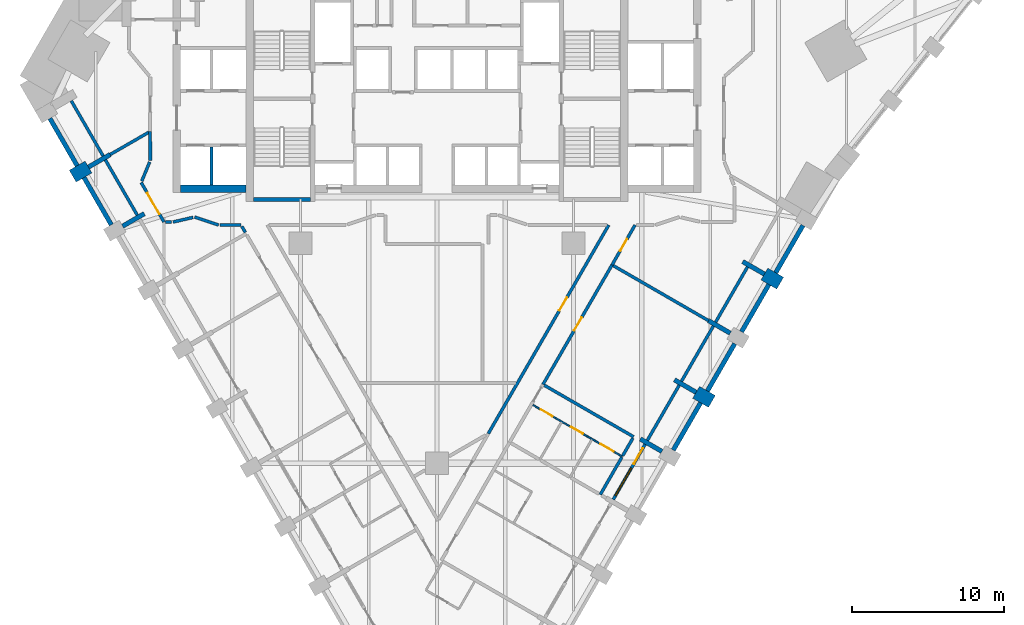
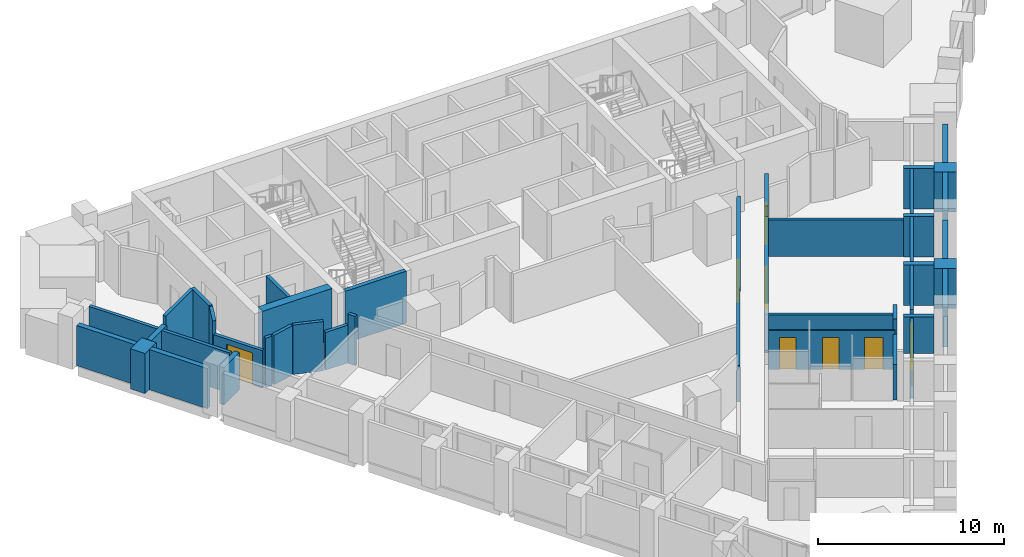
# One storey, part 5 of 10: 41 walls, 8 doors, 1 window, 9 openings.
"""IFC4 building model written with IfcOpenShell, lengths in metres."""

import ifcopenshell
import ifcopenshell.guid

model = None  # the IFC model being written
_history = None  # IfcOwnerHistory: only IFC2X3 demands one
_inside = {}  # id of a spatial element -> (the spatial element, [elements in it])
_under = {}  # id of a project, library or spatial element -> (it, [spatial elements below it])
_declared = {}  # id of a project -> (the project, [libraries it declares])
_typed = {}  # id of a type object -> (the type object, [elements of that type])
_made_of = {}  # id of a material, layer set ... -> (it, [elements and type objects made of it])


def new_model(schema):
    """Start an empty IFC model of exactly this schema.

    Asked for "IFC4X3", IfcOpenShell would pick the latest addendum, in which some entities
    have other attributes; the version numbers below select the first issue.
    IFC2X3 requires an IfcOwnerHistory on every rooted entity: one is made here for all.
    """
    global model, _history
    if schema == "IFC4X3":
        model = ifcopenshell.file(schema_version=(4, 3, 0, 0))
    else:
        model = ifcopenshell.file(schema=schema)
    _inside.clear()
    _under.clear()
    _declared.clear()
    _typed.clear()
    _made_of.clear()
    _history = None
    if model.schema == "IFC2X3":
        org = make("IfcOrganization", Name="unknown")
        user = make(
            "IfcPersonAndOrganization",
            ThePerson=make("IfcPerson", FamilyName="unknown"),
            TheOrganization=org,
        )
        app = make(
            "IfcApplication",
            ApplicationDeveloper=org,
            Version="unknown",
            ApplicationFullName="unknown",
            ApplicationIdentifier="unknown",
        )
        _history = make(
            "IfcOwnerHistory",
            OwningUser=user,
            OwningApplication=app,
            ChangeAction="ADDED",
            CreationDate=0,
        )
    return model


def make(cls, **values):
    """One entity of the class cls with the attributes given. An attribute that is None is left unset."""
    return model.create_entity(
        cls, **{name: value for name, value in values.items() if value is not None}
    )


def rooted(cls, **values):
    """An entity with a GlobalId (a new one), such as an element, a storey or a relation."""
    return make(cls, GlobalId=ifcopenshell.guid.new(), OwnerHistory=_history, **values)


def si_unit(unit_type, name, prefix=None):
    """IfcSIUnit, for example si_unit("LENGTHUNIT", "METRE", prefix="MILLI")."""
    return make("IfcSIUnit", UnitType=unit_type, Prefix=prefix, Name=name)


def assignment(units):
    """IfcUnitAssignment: the units of a project."""
    return None if units is None else make("IfcUnitAssignment", Units=units)


def point(xyz):
    """IfcCartesianPoint."""
    return None if xyz is None else make("IfcCartesianPoint", Coordinates=xyz)


def direction(xyz):
    """IfcDirection."""
    return None if xyz is None else make("IfcDirection", DirectionRatios=xyz)


def frame(location, z_axis=None, x_axis=None):
    """IfcAxis2Placement3D, a coordinate frame: its origin and axes. An axis left out is left unset."""
    return make(
        "IfcAxis2Placement3D",
        Location=point(location),
        Axis=direction(z_axis),
        RefDirection=direction(x_axis),
    )


def frame_2d(location, x_axis=None):
    """IfcAxis2Placement2D, a coordinate frame in the plane: its origin and x axis."""
    return make(
        "IfcAxis2Placement2D", Location=point(location), RefDirection=direction(x_axis)
    )


def origin():
    """The frame at (0, 0, 0) with its axes left unset."""
    return frame((0.0, 0.0, 0.0))


def place(relative_to, where):
    """IfcLocalPlacement: puts the frame where relative to a parent placement (None: the world)."""
    return make(
        "IfcLocalPlacement", PlacementRelTo=relative_to, RelativePlacement=where
    )


def context(
    kind, dimensions, precision=None, world=None, true_north=None, identifier=None
):
    """IfcGeometricRepresentationContext, for example the 3D "Model" context."""
    return make(
        "IfcGeometricRepresentationContext",
        ContextIdentifier=identifier,
        ContextType=kind,
        CoordinateSpaceDimension=dimensions,
        Precision=precision,
        WorldCoordinateSystem=world,
        TrueNorth=true_north,
    )


def subcontext(parent, identifier, kind, view, scale=None):
    """IfcGeometricRepresentationSubContext, for example "Body" below "Model"."""
    return make(
        "IfcGeometricRepresentationSubContext",
        ContextIdentifier=identifier,
        ContextType=kind,
        ParentContext=parent,
        TargetScale=scale,
        TargetView=view,
    )


def project(units=None, contexts=None):
    """IfcProject with its units and contexts."""
    return rooted(
        "IfcProject",
        Name="project",
        RepresentationContexts=contexts,
        UnitsInContext=assignment(units),
    )


def spatial(cls, under=None, at=None, **own):
    """A site, building, storey or space (cls), placed at a placement, below another one or the project."""
    s = rooted(cls, ObjectPlacement=at, **own)
    if under is not None:
        _under.setdefault(under.id(), (under, []))[1].append(s)
    return s


def profile(cls, at=None, kind="AREA", **sizes):
    """A parametric profile (cls). Its sizes go by their IFC names, for example OverallWidth=200.0."""
    return make(cls, ProfileType=kind, Position=at, **sizes)


def rectangle(**sizes):
    """IfcRectangleProfileDef."""
    return profile("IfcRectangleProfileDef", **sizes)


def extrude(swept, where, along, depth):
    """IfcExtrudedAreaSolid: the profile swept, set in the frame where, extruded along a direction by depth."""
    return make(
        "IfcExtrudedAreaSolid",
        SweptArea=swept,
        Position=where,
        ExtrudedDirection=direction(along),
        Depth=depth,
    )


def shape(context_of_items, identifier, shape_type, items):
    """IfcShapeRepresentation: the items that make up one representation, for example the "Body"."""
    return make(
        "IfcShapeRepresentation",
        ContextOfItems=context_of_items,
        RepresentationIdentifier=identifier,
        RepresentationType=shape_type,
        Items=items,
    )


def material(Name=None, Category=None):
    """IfcMaterial."""
    return make("IfcMaterial", Name=Name, Category=Category)


def layer(
    of_material, thickness, ventilated=None, Name=None, Category=None, Priority=None
):
    """IfcMaterialLayer: one layer of a wall or slab, of a material (None: an air gap)."""
    return make(
        "IfcMaterialLayer",
        Material=of_material,
        LayerThickness=thickness,
        IsVentilated=ventilated,
        Name=Name,
        Category=Category,
        Priority=Priority,
    )


def layer_set(layers, Name=None):
    """IfcMaterialLayerSet."""
    return make("IfcMaterialLayerSet", MaterialLayers=layers, LayerSetName=Name)


def made_of(thing, what):
    """Note that an element or type object is made of a material, layer set ...; save() writes the relation."""
    if what is not None:
        _made_of.setdefault(what.id(), (what, []))[1].append(thing)
    return thing


def type_object(cls, material=None, **own):
    """A type object (cls), such as IfcWallType, which elements share."""
    return made_of(rooted(cls, **own), material)


def element(
    cls,
    number,
    at=None,
    inside=None,
    cuts=None,
    type_object=None,
    material=None,
    context=None,
    identifier="Body",
    shape_type=None,
    held_by="IfcProductDefinitionShape",
    body=None,
    shapes=None,
    **own,
):
    """One element of the class cls, such as IfcWall. Its Tag is "e" and its number.

    at: its placement. inside: the storey or other place that contains it. cuts: it is an
    opening in that element (IfcRelVoidsElement). A single representation is given by context,
    identifier, shape_type and body (its items); several are given by shapes. held_by: the class
    of the entity that holds the representations. save() writes the other relations.
    """
    e = rooted(cls, Tag="e%d" % number, ObjectPlacement=at, **own)
    if body is not None:
        shapes = [shape(context, identifier, shape_type, body)]
    if shapes is not None:
        e.Representation = make(held_by, Representations=shapes)
    if inside is not None:
        _inside.setdefault(inside.id(), (inside, []))[1].append(e)
    if cuts is not None:
        rooted(
            "IfcRelVoidsElement", RelatingBuildingElement=cuts, RelatedOpeningElement=e
        )
    if type_object is not None:
        _typed.setdefault(type_object.id(), (type_object, []))[1].append(e)
    return made_of(e, material)


def fill(opening, filler):
    """IfcRelFillsElement: the door or window that sits in an opening."""
    return rooted(
        "IfcRelFillsElement",
        RelatingOpeningElement=opening,
        RelatedBuildingElement=filler,
    )


def aggregate(whole, parts):
    """IfcRelAggregates: a whole, such as a stair, and the parts it consists of."""
    return rooted("IfcRelAggregates", RelatingObject=whole, RelatedObjects=parts)


def save(model, path):
    """Write the relations noted so far, then the file.

    IfcRelAggregates (storeys below a building ...), IfcRelContainedInSpatialStructure (elements
    in a storey), IfcRelDefinesByType, IfcRelAssociatesMaterial and IfcRelDeclares: one each for
    every whole, place, type object, material and project.
    """
    for whole, parts in _under.values():
        aggregate(whole, parts)
    for where, things in _inside.values():
        rooted(
            "IfcRelContainedInSpatialStructure",
            RelatedElements=things,
            RelatingStructure=where,
        )
    for kind, things in _typed.values():
        rooted("IfcRelDefinesByType", RelatedObjects=things, RelatingType=kind)
    for what, things in _made_of.values():
        rooted("IfcRelAssociatesMaterial", RelatedObjects=things, RelatingMaterial=what)
    for by, libraries in _declared.values():
        rooted("IfcRelDeclares", RelatingContext=by, RelatedDefinitions=libraries)
    model.write(path)


model = new_model("IFC4")

# Units and contexts
model_context = context("Model", 3, precision=1e-05, world=origin(), true_north=direction((0.0, 1.0)))
body_context = subcontext(model_context, "Body", "Model", "MODEL_VIEW")
ifc_project = project(units=[si_unit("LENGTHUNIT", "METRE"), si_unit("AREAUNIT", "SQUARE_METRE"), si_unit("VOLUMEUNIT", "CUBIC_METRE"), si_unit("PLANEANGLEUNIT", "RADIAN"), si_unit("MASSUNIT", "GRAM", prefix="KILO")], contexts=[model_context])

# Site, building, storey
site_placement = place(None, origin())
site = spatial("IfcSite", under=ifc_project, at=site_placement, CompositionType="ELEMENT")
building_placement = place(site_placement, origin())
building = spatial("IfcBuilding", under=site, at=building_placement, Name="Calabash Gate Tower", CompositionType="ELEMENT")
storey_placement = place(building_placement, frame((0.0, 0.0, 95.199951171875)))
storey = spatial("IfcBuildingStorey", under=building, at=storey_placement, Name="L20", CompositionType="ELEMENT", Elevation=95.199951171875)

# Walls
ifc_material_1 = material(Name="Terracotta brick masonry, exposed face", Category="masonry")
ifc_layer_1 = layer(ifc_material_1, 1.199951171875)
ifc_layer_set_1 = layer_set([ifc_layer_1], Name="Brick end wall 1200")
wall_type_1 = type_object("IfcWallType", Name="Brick end wall 1200", PredefinedType="SOLIDWALL", material=ifc_layer_set_1)
wall_1_placement = place(storey_placement, frame((-24.01025390625, 6.922119140625, 0.0), z_axis=(0.0, 0.0, 1.0), x_axis=(0.865955154139, 0.50012165622, 0.0)))
element("IfcWall", 1, at=wall_1_placement, inside=storey, type_object=wall_type_1, Name="Brick pier S05 SW0.1", PredefinedType="SOLIDWALL", context=body_context, shape_type="SweptSolid", body=[
    extrude(rectangle(XDim=1.199951171875, YDim=0.89990234375, at=frame_2d((0.60009765625, 0.0))), origin(), (0.0, 0.0, 1.0), 2.630126953125),
])
wall_2_placement = place(storey_placement, frame((18.1171875, -7.925537109375, 0.0), z_axis=(0.0, 0.0, 1.0), x_axis=(-0.866006032174, 0.500033551112, 0.0)))
element("IfcWall", 2, at=wall_2_placement, inside=storey, type_object=wall_type_1, Name="Brick pier S05 SE2.5", PredefinedType="SOLIDWALL", context=body_context, shape_type="SweptSolid", body=[
    extrude(rectangle(XDim=1.2001953125, YDim=0.89990234375, at=frame_2d((0.60009765625, 0.0))), origin(), (0.0, 0.0, 1.0), 2.630126953125),
])
wall_3_placement = place(storey_placement, frame((21.577880859375, 0.46875, 0.0), z_axis=(0.0, 0.0, 1.0), x_axis=(0.866094119867, -0.499880961361, 0.0)))
element("IfcWall", 3, at=wall_3_placement, inside=storey, type_object=wall_type_1, Name="Brick pier S05 SE2.7", PredefinedType="SOLIDWALL", context=body_context, shape_type="SweptSolid", body=[
    extrude(rectangle(XDim=1.199951171875, YDim=0.89990234375, at=frame_2d((0.60009765625, 0.0))), origin(), (0.0, 0.0, 1.0), 2.630126953125),
])
ifc_material_2 = material(Name="Terracotta brick masonry, exposed face", Category="masonry")
ifc_layer_2 = layer(ifc_material_2, 0.300048828125)
ifc_layer_set_2 = layer_set([ifc_layer_2], Name="Brick infill panel wall 300")
wall_type_2 = type_object("IfcWallType", Name="Brick infill panel wall 300", PredefinedType="SOLIDWALL", material=ifc_layer_set_2)
wall_4_placement = place(storey_placement, frame((-25.515625, 10.729736328125, 0.0), z_axis=(0.0, 0.0, 1.0), x_axis=(0.499961193289, -0.866047807691, 0.0)))
element("IfcWall", 4, at=wall_4_placement, inside=storey, type_object=wall_type_2, Name="Brick panel S05 SW0.1", PredefinedType="SOLIDWALL", context=body_context, shape_type="SweptSolid", body=[
    extrude(rectangle(XDim=3.599853515625, YDim=0.300048828125, at=frame_2d((1.7998046875, 0.0))), origin(), (0.0, 0.0, 1.0), 2.630126953125),
])
wall_5_placement = place(storey_placement, frame((-21.466552734375, 3.71630859375, 0.0), z_axis=(0.0, 0.0, 1.0), x_axis=(-0.499984792966, 0.866034183392, 0.0)))
element("IfcWall", 5, at=wall_5_placement, inside=storey, type_object=wall_type_2, Name="Brick panel S05 SW0.2", PredefinedType="SOLIDWALL", context=body_context, shape_type="SweptSolid", body=[
    extrude(rectangle(XDim=3.59814453125, YDim=0.300048828125, at=frame_2d((1.799072265625, 0.0))), origin(), (0.0, 0.0, 1.0), 2.630126953125),
])
wall_6_placement = place(storey_placement, frame((15.572509765625, -11.1328125, 0.0), z_axis=(0.0, 0.0, 1.0), x_axis=(0.500012057535, 0.866018442252, 0.0)))
element("IfcWall", 6, at=wall_6_placement, inside=storey, type_object=wall_type_2, Name="Brick panel S05 SE2.5", PredefinedType="SOLIDWALL", context=body_context, shape_type="SweptSolid", body=[
    extrude(rectangle(XDim=3.60009765625, YDim=0.300048828125, at=frame_2d((1.800048828125, 0.0))), origin(), (0.0, 0.0, 1.0), 2.630126953125),
])
wall_7_placement = place(storey_placement, frame((17.822509765625, -7.23583984375, 0.0), z_axis=(0.0, 0.0, 1.0), x_axis=(0.499982693035, 0.866035395735, 0.0)))
element("IfcWall", 7, at=wall_7_placement, inside=storey, type_object=wall_type_2, Name="Brick panel S05 SE2.6", PredefinedType="SOLIDWALL", context=body_context, shape_type="SweptSolid", body=[
    extrude(rectangle(XDim=3.600341796875, YDim=0.300048828125, at=frame_2d((1.80029296875, 0.0))), origin(), (0.0, 0.0, 1.0), 2.630126953125),
])
for number, where, z_axis, x_axis, name in (
    (8, (20.072509765625, -3.338623046875, 0.0), (0.0, 0.0, 1.0), (0.500012057535, 0.866018442252, 0.0), "Brick panel S05 SE2.7"),
    (9, (22.322509765625, 0.55859375, 0.0), (0.0, 0.0, 1.0), (0.500012057535, 0.866018442252, 0.0), "Brick panel S05 SE2.8"),
):
    element("IfcWall", number, at=place(storey_placement, frame(where, z_axis=z_axis, x_axis=x_axis)), inside=storey, type_object=wall_type_2, Name=name, PredefinedType="SOLIDWALL", context=body_context, shape_type="SweptSolid", body=[
        extrude(rectangle(XDim=3.60009765625, YDim=0.300048828125, at=frame_2d((1.800048828125, 0.0))), origin(), (0.0, 0.0, 1.0), 2.630126953125),
    ])
ifc_material_3 = material(Name="Terracotta brick masonry, exposed face", Category="masonry")
ifc_layer_3 = layer(ifc_material_3, 0.300048828125)
ifc_layer_set_3 = layer_set([ifc_layer_3], Name="Brick loggia cheek wall 300")
wall_type_3 = type_object("IfcWallType", Name="Brick loggia cheek wall 300", PredefinedType="SOLIDWALL", material=ifc_layer_set_3)
wall_8_placement = place(storey_placement, frame((-22.97119140625, 7.522216796875, 0.0), z_axis=(0.0, 0.0, 1.0), x_axis=(0.866040211805, 0.499974350878, 0.0)))
element("IfcWall", 10, at=wall_8_placement, inside=storey, type_object=wall_type_3, Name="Loggia cheek S05 SW0.1", PredefinedType="SOLIDWALL", context=body_context, shape_type="SweptSolid", body=[
    extrude(rectangle(XDim=1.64990234375, YDim=0.300048828125, at=frame_2d((0.824951171875, 0.0))), origin(), (0.0, 0.0, 1.0), 2.650146484375),
])
wall_9_placement = place(storey_placement, frame((-19.292236328125, 4.4501953125, 0.0), z_axis=(0.0, 0.0, 1.0), x_axis=(-0.865993292597, -0.500055614084, 0.0)))
element("IfcWall", 11, at=wall_9_placement, inside=storey, type_object=wall_type_3, Name="Loggia cheek S05 SW0.2", PredefinedType="SOLIDWALL", context=body_context, shape_type="SweptSolid", body=[
    extrude(rectangle(XDim=1.649169921875, YDim=0.300048828125, at=frame_2d((0.82470703125, 0.0))), origin(), (0.0, 0.0, 1.0), 2.4501953125),
])
wall_10_placement = place(storey_placement, frame((13.39892578125, -10.3974609375, 0.0), z_axis=(0.0, 0.0, 1.0), x_axis=(0.866003217194, -0.500038426333, 0.0)))
element("IfcWall", 12, at=wall_10_placement, inside=storey, type_object=wall_type_3, Name="Loggia cheek S05 SE2.4", PredefinedType="SOLIDWALL", context=body_context, shape_type="SweptSolid", body=[
    extrude(rectangle(XDim=1.649658203125, YDim=0.300048828125, at=frame_2d((0.82470703125, 0.0))), origin(), (0.0, 0.0, 1.0), 2.384033203125),
])
wall_11_placement = place(storey_placement, frame((17.077880859375, -7.325439453125, 0.0), z_axis=(0.0, 0.0, 1.0), x_axis=(-0.866040211805, 0.499974350878, 0.0)))
element("IfcWall", 13, at=wall_11_placement, inside=storey, type_object=wall_type_3, Name="Loggia cheek S05 SE2.5", PredefinedType="SOLIDWALL", context=body_context, shape_type="SweptSolid", body=[
    extrude(rectangle(XDim=1.64990234375, YDim=0.300048828125, at=frame_2d((0.824951171875, 0.0))), origin(), (0.0, 0.0, 1.0), 2.650146484375),
])
wall_12_placement = place(storey_placement, frame((19.327392578125, -3.427978515625, 0.0), z_axis=(0.0, 0.0, 1.0), x_axis=(-0.866030301974, 0.499991515992, 0.0)))
element("IfcWall", 14, at=wall_12_placement, inside=storey, type_object=wall_type_3, Name="Loggia cheek S05 SE2.6", PredefinedType="SOLIDWALL", context=body_context, shape_type="SweptSolid", body=[
    extrude(rectangle(XDim=1.6494140625, YDim=0.300048828125, at=frame_2d((0.82470703125, 0.0))), origin(), (0.0, 0.0, 1.0), 2.650146484375),
])
wall_13_placement = place(storey_placement, frame((21.577880859375, 0.46875, 0.0), z_axis=(0.0, 0.0, 1.0), x_axis=(-0.866040211805, 0.499974350878, 0.0)))
element("IfcWall", 15, at=wall_13_placement, inside=storey, type_object=wall_type_3, Name="Loggia cheek S05 SE2.7", PredefinedType="SOLIDWALL", context=body_context, shape_type="SweptSolid", body=[
    extrude(rectangle(XDim=1.64990234375, YDim=0.300048828125, at=frame_2d((0.824951171875, 0.0))), origin(), (0.0, 0.0, 1.0), 2.650146484375),
])
ifc_material_4 = material(Name="Concrete C80/95", Category="concrete")
ifc_layer_4 = layer(ifc_material_4, 0.25)
ifc_layer_set_4 = layer_set([ifc_layer_4], Name="Core wall 250 Concrete C80/95")
wall_type_4 = type_object("IfcWallType", Name="Core wall 250 Concrete C80/95", PredefinedType="SHEAR", material=ifc_layer_set_4)
wall_14_placement = place(storey_placement, frame((-12.10009765625, 5.377685546875, 0.0), z_axis=(0.0, 0.0, 1.0), x_axis=(1.0, 0.0, 0.0)))
element("IfcWall", 16, at=wall_14_placement, inside=storey, type_object=wall_type_4, Name="Core wall Z2-SSW L20", PredefinedType="SHEAR", context=body_context, shape_type="SweptSolid", body=[
    extrude(rectangle(XDim=3.75, YDim=0.25, at=frame_2d((1.875, 0.0))), origin(), (0.0, 0.0, 1.0), 3.400146484375),
])
ifc_material_5 = material(Name="Concrete C80/95", Category="concrete")
ifc_layer_5 = layer(ifc_material_5, 0.5)
ifc_layer_set_5 = layer_set([ifc_layer_5], Name="Core wall 500 Concrete C80/95")
wall_type_5 = type_object("IfcWallType", Name="Core wall 500 Concrete C80/95", PredefinedType="SHEAR", material=ifc_layer_set_5)
wall_15_placement = place(storey_placement, frame((-12.60009765625, 6.1025390625, 0.0), z_axis=(0.0, 0.0, 1.0), x_axis=(-1.0, 0.0, 0.0)))
element("IfcWall", 17, at=wall_15_placement, inside=storey, type_object=wall_type_5, Name="Core wall Z2-SW L20", PredefinedType="SHEAR", context=body_context, shape_type="SweptSolid", body=[
    extrude(rectangle(XDim=4.2998046875, YDim=0.5, at=frame_2d((2.14990234375, 0.0))), origin(), (0.0, 0.0, 1.0), 3.400146484375),
])

# Wall, openings, doors
ifc_material_6 = material(Name="Gypsum board on steel studs, mineral wool", Category="steel")
ifc_layer_6 = layer(ifc_material_6, 0.10009765625)
ifc_layer_set_6 = layer_set([ifc_layer_6], Name="Partition 100 gypsum board")
wall_type_6 = type_object("IfcWallType", Name="Partition 100 gypsum board", PredefinedType="PARTITIONING", material=ifc_layer_set_6)
wall_16_placement = place(storey_placement, frame((6.322021484375, -8.1591796875, 0.0), z_axis=(0.0, 0.0, 1.0), x_axis=(0.866028893315, -0.499993955907, 0.0)))
wall_16 = element("IfcWall", 18, at=wall_16_placement, inside=storey, type_object=wall_type_6, Name="Partition", PredefinedType="PARTITIONING", context=body_context, shape_type="SweptSolid", body=[
    extrude(rectangle(XDim=6.7978515625, YDim=0.10009765625, at=frame_2d((3.39892578125, 0.0))), origin(), (0.0, 0.0, 1.0), 2.552001953125),
])
opening_1_placement = place(wall_16_placement, frame((0.59814453125, 0.0, 0.0)))
opening_1 = element("IfcOpeningElement", 19, at=opening_1_placement, cuts=wall_16, Name="Opening 19-21-017", PredefinedType="OPENING", context=body_context, shape_type="SweptSolid", body=[
    extrude(rectangle(XDim=0.89990234375, YDim=2.10009765625, at=frame_2d((0.449951171875, 1.050048828125))), frame((0.0, 0.06005859375, 0.0), z_axis=(0.0, -1.0, 0.0), x_axis=(1.0, 0.0, 0.0)), (0.0, 0.0, 1.0), 0.1201171875),
])
opening_2_placement = place(wall_16_placement, frame((2.898193359375, 0.0, 0.0)))
opening_2 = element("IfcOpeningElement", 20, at=opening_2_placement, cuts=wall_16, Name="Opening 19-21-018", PredefinedType="OPENING", context=body_context, shape_type="SweptSolid", body=[
    extrude(rectangle(XDim=0.89990234375, YDim=2.10009765625, at=frame_2d((0.449951171875, 1.050048828125))), frame((0.0, 0.06005859375, 0.0), z_axis=(0.0, -1.0, 0.0), x_axis=(1.0, 0.0, 0.0)), (0.0, 0.0, 1.0), 0.1201171875),
])
opening_3_placement = place(wall_16_placement, frame((5.148193359375, 0.0, 0.0)))
opening_3 = element("IfcOpeningElement", 21, at=opening_3_placement, cuts=wall_16, Name="Opening 19-21-019", PredefinedType="OPENING", context=body_context, shape_type="SweptSolid", body=[
    extrude(rectangle(XDim=1.0, YDim=2.10009765625, at=frame_2d((0.5, 1.050048828125))), frame((0.0, 0.06005859375, 0.0), z_axis=(0.0, -1.0, 0.0), x_axis=(1.0, 0.0, 0.0)), (0.0, 0.0, 1.0), 0.1201171875),
])
ifc_material_7 = material(Name="Painted timber door", Category="wood")
door_type_1 = type_object("IfcDoorType", Name="WD1 WC door 900x2100", OperationType="NOTDEFINED", PredefinedType="DOOR", material=ifc_material_7)
door_1_placement = place(opening_1_placement, origin())
door_1 = element("IfcDoor", 22, at=door_1_placement, inside=storey, type_object=door_type_1, Name="WC door", OperationType="SINGLE_SWING_RIGHT", OverallHeight=2.10009765625, OverallWidth=0.89990234375, PredefinedType="DOOR", context=body_context, shape_type="SweptSolid", body=[
    extrude(rectangle(XDim=0.89990234375, YDim=2.10009765625, at=frame_2d((0.449951171875, 1.050048828125))), frame((0.0, 0.02490234375, 0.0), z_axis=(0.0, -1.0, 0.0), x_axis=(1.0, 0.0, 0.0)), (0.0, 0.0, 1.0), 0.050048828125),
])
fill(opening_1, door_1)
door_2_placement = place(opening_2_placement, origin())
door_2 = element("IfcDoor", 23, at=door_2_placement, inside=storey, type_object=door_type_1, Name="WC door", OperationType="SINGLE_SWING_RIGHT", OverallHeight=2.10009765625, OverallWidth=0.89990234375, PredefinedType="DOOR", context=body_context, shape_type="SweptSolid", body=[
    extrude(rectangle(XDim=0.89990234375, YDim=2.10009765625, at=frame_2d((0.449951171875, 1.050048828125))), frame((0.0, 0.02490234375, 0.0), z_axis=(0.0, -1.0, 0.0), x_axis=(1.0, 0.0, 0.0)), (0.0, 0.0, 1.0), 0.050048828125),
])
fill(opening_2, door_2)
ifc_material_8 = material(Name="Painted timber door", Category="wood")
door_type_2 = type_object("IfcDoorType", Name="WD2 Accessible WC door 1000x2100", OperationType="NOTDEFINED", PredefinedType="DOOR", material=ifc_material_8)
door_3_placement = place(opening_3_placement, origin())
door_3 = element("IfcDoor", 24, at=door_3_placement, inside=storey, type_object=door_type_2, Name="Accessible WC door", OperationType="SINGLE_SWING_LEFT", OverallHeight=2.10009765625, OverallWidth=1.0, PredefinedType="DOOR", context=body_context, shape_type="SweptSolid", body=[
    extrude(rectangle(XDim=1.0, YDim=2.10009765625, at=frame_2d((0.5, 1.050048828125))), frame((0.0, 0.02490234375, 0.0), z_axis=(0.0, -1.0, 0.0), x_axis=(1.0, 0.0, 0.0)), (0.0, 0.0, 1.0), 0.050048828125),
])
fill(opening_3, door_3)

# Walls
ifc_material_9 = material(Name="Gypsum board on steel studs, mineral wool", Category="steel")
ifc_layer_7 = layer(ifc_material_9, 0.199951171875)
ifc_layer_set_7 = layer_set([ifc_layer_7], Name="Partition 200 gypsum board EI 60")
wall_type_7 = type_object("IfcWallType", Name="Partition 200 gypsum board EI 60", PredefinedType="PARTITIONING", material=ifc_layer_set_7)
wall_17_placement = place(storey_placement, frame((10.75927734375, -14.069580078125, 0.0), z_axis=(0.0, 0.0, 1.0), x_axis=(0.499472906963, 0.866329507295, 0.0)))
element("IfcWall", 25, at=wall_17_placement, inside=storey, type_object=wall_type_7, Name="Partition", PredefinedType="PARTITIONING", context=body_context, shape_type="SweptSolid", body=[
    extrude(rectangle(XDim=2.8515625, YDim=0.199951171875, at=frame_2d((1.42578125, 0.0))), origin(), (0.0, 0.0, 1.0), 2.302490234375),
])
wall_18_placement = place(storey_placement, frame((12.23388671875, -11.51220703125, 0.0), z_axis=(0.0, 0.0, 1.0), x_axis=(0.501000622125, 0.865446923058, 0.0)))
element("IfcWall", 26, at=wall_18_placement, inside=storey, type_object=wall_type_7, Name="Partition", PredefinedType="PARTITIONING", context=body_context, shape_type="SweptSolid", body=[
    extrude(rectangle(XDim=1.349853515625, YDim=0.199951171875, at=frame_2d((0.6748046875, 0.0))), origin(), (0.0, 0.0, 1.0), 3.22998046875),
])
wall_19_placement = place(storey_placement, frame((7.072021484375, -6.85986328125, 0.0), z_axis=(0.0, 0.0, 1.0), x_axis=(0.86615808173, -0.499770124611, 0.0)))
element("IfcWall", 27, at=wall_19_placement, inside=storey, type_object=wall_type_7, Name="Partition", PredefinedType="PARTITIONING", context=body_context, shape_type="SweptSolid", body=[
    extrude(rectangle(XDim=6.798095703125, YDim=0.199951171875, at=frame_2d((3.39892578125, 0.0))), origin(), (0.0, 0.0, 1.0), 2.552001953125),
])

# Wall, opening, door
wall_20_placement = place(storey_placement, frame((3.378662109375, -10.049072265625, 0.0), z_axis=(0.0, 0.0, 1.0), x_axis=(0.50000242408, 0.866024004237, 0.0)))
wall_20 = element("IfcWall", 28, at=wall_20_placement, inside=storey, type_object=wall_type_7, Name="Partition", PredefinedType="PARTITIONING", context=body_context, shape_type="SweptSolid", body=[
    extrude(rectangle(XDim=15.876953125, YDim=0.199951171875, at=frame_2d((7.9384765625, 0.0))), origin(), (0.0, 0.0, 1.0), 2.384033203125),
])
opening_4_placement = place(wall_20_placement, frame((9.359130859375, 0.0, 0.0)))
opening_4 = element("IfcOpeningElement", 29, at=opening_4_placement, cuts=wall_20, Name="Opening 19-21-012", PredefinedType="OPENING", context=body_context, shape_type="SweptSolid", body=[
    extrude(rectangle(XDim=1.0, YDim=2.10009765625, at=frame_2d((0.5, 1.050048828125))), frame((0.0, 0.10986328125, 0.0), z_axis=(0.0, -1.0, 0.0), x_axis=(1.0, 0.0, 0.0)), (0.0, 0.0, 1.0), 0.219970703125),
])
ifc_material_10 = material(Name="Steel fire door set with fire-resisting glazing", Category="steel")
door_type_3 = type_object("IfcDoorType", Name="LD2 Meeting room door 1000x2100", OperationType="NOTDEFINED", PredefinedType="DOOR", material=ifc_material_10)
door_4_placement = place(opening_4_placement, origin())
door_4 = element("IfcDoor", 30, at=door_4_placement, inside=storey, type_object=door_type_3, Name="Meeting room door", OperationType="SINGLE_SWING_RIGHT", OverallHeight=2.10009765625, OverallWidth=1.0, PredefinedType="DOOR", context=body_context, shape_type="SweptSolid", body=[
    extrude(rectangle(XDim=1.0, YDim=2.10009765625, at=frame_2d((0.5, 1.050048828125))), frame((0.0, 0.02490234375, 0.0), z_axis=(0.0, -1.0, 0.0), x_axis=(1.0, 0.0, 0.0)), (0.0, 0.0, 1.0), 0.050048828125),
])
fill(opening_4, door_4)

wall_21_placement = place(storey_placement, frame((6.98486328125, -6.807373046875, 0.0), z_axis=(0.0, 0.0, 1.0), x_axis=(0.500170742348, 0.865926803199, 0.0)))
wall_21 = element("IfcWall", 31, at=wall_21_placement, inside=storey, type_object=wall_type_7, Name="Partition", PredefinedType="PARTITIONING", context=body_context, shape_type="SweptSolid", body=[
    extrude(rectangle(XDim=9.097900390625, YDim=0.199951171875, at=frame_2d((4.548828125, 0.0))), origin(), (0.0, 0.0, 1.0), 2.552001953125),
])
opening_5_placement = place(wall_21_placement, frame((4.097900390625, 0.0, 0.0)))
opening_5 = element("IfcOpeningElement", 32, at=opening_5_placement, cuts=wall_21, Name="Opening 19-21-010", PredefinedType="OPENING", context=body_context, shape_type="SweptSolid", body=[
    extrude(rectangle(XDim=1.0, YDim=2.10009765625, at=frame_2d((0.5, 1.050048828125))), frame((0.0, 0.10986328125, 0.0), z_axis=(0.0, -1.0, 0.0), x_axis=(1.0, 0.0, 0.0)), (0.0, 0.0, 1.0), 0.219970703125),
])
door_5_placement = place(opening_5_placement, origin())
door_5 = element("IfcDoor", 33, at=door_5_placement, inside=storey, type_object=door_type_3, Name="Meeting room door", OperationType="SINGLE_SWING_LEFT", OverallHeight=2.10009765625, OverallWidth=1.0, PredefinedType="DOOR", context=body_context, shape_type="SweptSolid", body=[
    extrude(rectangle(XDim=1.0, YDim=2.10009765625, at=frame_2d((0.5, 1.050048828125))), frame((0.0, 0.02490234375, 0.0), z_axis=(0.0, -1.0, 0.0), x_axis=(1.0, 0.0, 0.0)), (0.0, 0.0, 1.0), 0.050048828125),
])
fill(opening_5, door_5)

# Walls
wall_22_placement = place(storey_placement, frame((11.622802734375, 1.0224609375, 0.0), z_axis=(0.0, 0.0, 1.0), x_axis=(0.865930886033, -0.500163673825, 0.0)))
element("IfcWall", 34, at=wall_22_placement, inside=storey, type_object=wall_type_7, Name="Partition", PredefinedType="PARTITIONING", context=body_context, shape_type="SweptSolid", body=[
    extrude(rectangle(XDim=7.248046875, YDim=0.199951171875, at=frame_2d((3.6240234375, 0.0))), origin(), (0.0, 0.0, 1.0), 2.384033203125),
])
wall_23_placement = place(storey_placement, frame((-12.86279296875, 3.61279296875, 0.0), z_axis=(0.0, 0.0, 1.0), x_axis=(0.49808198686, -0.867129940877, 0.0)))
element("IfcWall", 35, at=wall_23_placement, inside=storey, type_object=wall_type_7, Name="Partition", PredefinedType="PARTITIONING", context=body_context, shape_type="SweptSolid", body=[
    extrude(rectangle(XDim=0.459716796875, YDim=0.199951171875, at=frame_2d((0.22998046875, 0.0))), origin(), (0.0, 0.0, 1.0), 3.22998046875),
])
wall_24_placement = place(storey_placement, frame((-15.98291015625, 4.22705078125, 0.0), z_axis=(0.0, 0.0, 1.0), x_axis=(0.948683298051, -0.316227766017, 0.0)))
element("IfcWall", 36, at=wall_24_placement, inside=storey, type_object=wall_type_7, Name="Partition", PredefinedType="PARTITIONING", context=body_context, shape_type="SweptSolid", body=[
    extrude(rectangle(XDim=1.66845703125, YDim=0.199951171875, at=frame_2d((0.834228515625, 0.0))), origin(), (0.0, 0.0, 1.0), 3.22998046875),
])
wall_25_placement = place(storey_placement, frame((-14.300048828125, 3.699462890625, 0.0), z_axis=(0.0, 0.0, 1.0), x_axis=(1.0, 0.0, 0.0)))
element("IfcWall", 37, at=wall_25_placement, inside=storey, type_object=wall_type_7, Name="Partition", PredefinedType="PARTITIONING", context=body_context, shape_type="SweptSolid", body=[
    extrude(rectangle(XDim=1.387451171875, YDim=0.199951171875, at=frame_2d((0.69384765625, 0.0))), origin(), (0.0, 0.0, 1.0), 2.4736328125),
])

# Wall, opening, door
wall_26_placement = place(storey_placement, frame((11.536376953125, 1.072509765625, 0.0), z_axis=(0.0, 0.0, 1.0), x_axis=(0.499620231516, 0.866244552225, 0.0)))
wall_26 = element("IfcWall", 38, at=wall_26_placement, inside=storey, type_object=wall_type_7, Name="Partition", PredefinedType="PARTITIONING", context=body_context, shape_type="SweptSolid", body=[
    extrude(rectangle(XDim=3.032470703125, YDim=0.199951171875, at=frame_2d((1.51611328125, 0.0))), origin(), (0.0, 0.0, 1.0), 3.22998046875),
])
opening_6_placement = place(wall_26_placement, frame((1.065673828125, 0.0, 0.0)))
opening_6 = element("IfcOpeningElement", 39, at=opening_6_placement, cuts=wall_26, Name="Opening 19-21-024", PredefinedType="OPENING", context=body_context, shape_type="SweptSolid", body=[
    extrude(rectangle(XDim=0.89990234375, YDim=2.10009765625, at=frame_2d((0.449951171875, 1.050048828125))), frame((0.0, 0.10986328125, 0.0), z_axis=(0.0, -1.0, 0.0), x_axis=(1.0, 0.0, 0.0)), (0.0, 0.0, 1.0), 0.219970703125),
])
ifc_material_11 = material(Name="Steel fire door set with fire-resisting glazing", Category="steel")
door_type_4 = type_object("IfcDoorType", Name="SD3 Store door 900x2100", OperationType="NOTDEFINED", PredefinedType="DOOR", material=ifc_material_11)
door_6_placement = place(opening_6_placement, origin())
door_6 = element("IfcDoor", 40, at=door_6_placement, inside=storey, type_object=door_type_4, Name="Store door", OperationType="SINGLE_SWING_RIGHT", OverallHeight=2.10009765625, OverallWidth=0.89990234375, PredefinedType="DOOR", context=body_context, shape_type="SweptSolid", body=[
    extrude(rectangle(XDim=0.89990234375, YDim=2.10009765625, at=frame_2d((0.449951171875, 1.050048828125))), frame((0.0, 0.02490234375, 0.0), z_axis=(0.0, -1.0, 0.0), x_axis=(1.0, 0.0, 0.0)), (0.0, 0.0, 1.0), 0.050048828125),
])
fill(opening_6, door_6)

wall_27_placement = place(storey_placement, frame((-19.496826171875, 6.504150390625, 0.0), z_axis=(0.0, 0.0, 1.0), x_axis=(0.499928597019, -0.86606662439, 0.0)))
wall_27 = element("IfcWall", 41, at=wall_27_placement, inside=storey, type_object=wall_type_7, Name="Partition", PredefinedType="PARTITIONING", context=body_context, shape_type="SweptSolid", body=[
    extrude(rectangle(XDim=3.00732421875, YDim=0.199951171875, at=frame_2d((1.503662109375, 0.0))), origin(), (0.0, 0.0, 1.0), 2.4501953125),
])
opening_7_placement = place(wall_27_placement, frame((0.8037109375, 0.0, 0.0)))
opening_7 = element("IfcOpeningElement", 42, at=opening_7_placement, cuts=wall_27, Name="Opening 19-21-021", PredefinedType="OPENING", context=body_context, shape_type="SweptSolid", body=[
    extrude(rectangle(XDim=1.60009765625, YDim=2.10009765625, at=frame_2d((0.800048828125, 1.050048828125))), frame((0.0, 0.10986328125, 0.0), z_axis=(0.0, -1.0, 0.0), x_axis=(1.0, 0.0, 0.0)), (0.0, 0.0, 1.0), 0.219970703125),
])
ifc_material_12 = material(Name="Steel fire door set with fire-resisting glazing", Category="steel")
door_type_5 = type_object("IfcDoorType", Name="LD1 Lounge double door 1600x2100", OperationType="NOTDEFINED", PredefinedType="DOOR", material=ifc_material_12)
door_7_placement = place(opening_7_placement, origin())
door_7 = element("IfcDoor", 43, at=door_7_placement, inside=storey, type_object=door_type_5, Name="Lounge double door", OperationType="DOUBLE_DOOR_SINGLE_SWING", OverallHeight=2.10009765625, OverallWidth=1.60009765625, PredefinedType="DOOR", context=body_context, shape_type="SweptSolid", body=[
    extrude(rectangle(XDim=1.60009765625, YDim=2.10009765625, at=frame_2d((0.800048828125, 1.050048828125))), frame((0.0, 0.02490234375, 0.0), z_axis=(0.0, -1.0, 0.0), x_axis=(1.0, 0.0, 0.0)), (0.0, 0.0, 1.0), 0.050048828125),
])
fill(opening_7, door_7)

# Walls
wall_28_placement = place(storey_placement, frame((-17.893310546875, 3.8994140625, 0.0), z_axis=(0.0, 0.0, 1.0), x_axis=(1.0, 0.0, 0.0)))
element("IfcWall", 44, at=wall_28_placement, inside=storey, type_object=wall_type_7, Name="Partition", PredefinedType="PARTITIONING", context=body_context, shape_type="SweptSolid", body=[
    extrude(rectangle(XDim=0.393310546875, YDim=0.199951171875, at=frame_2d((0.19677734375, 0.0))), origin(), (0.0, 0.0, 1.0), 3.22998046875),
])
wall_29_placement = place(storey_placement, frame((-17.39990234375, 3.8994140625, 0.0), z_axis=(0.0, 0.0, 1.0), x_axis=(0.974284755848, 0.225320248808, 0.0)))
element("IfcWall", 45, at=wall_29_placement, inside=storey, type_object=wall_type_7, Name="Partition", PredefinedType="PARTITIONING", context=body_context, shape_type="SweptSolid", body=[
    extrude(rectangle(XDim=1.3544921875, YDim=0.199951171875, at=frame_2d((0.67724609375, 0.0))), origin(), (0.0, 0.0, 1.0), 3.22998046875),
])
wall_30_placement = place(storey_placement, frame((-19.458984375, 6.5966796875, 0.0), z_axis=(0.0, 0.0, 1.0), x_axis=(0.380767778943, 0.92467069734, 0.0)))
element("IfcWall", 46, at=wall_30_placement, inside=storey, type_object=wall_type_7, Name="Partition", PredefinedType="PARTITIONING", context=body_context, shape_type="SweptSolid", body=[
    extrude(rectangle(XDim=1.366455078125, YDim=0.199951171875, at=frame_2d((0.68310546875, 0.0))), origin(), (0.0, 0.0, 1.0), 3.22998046875),
])
wall_31_placement = place(storey_placement, frame((-18.902099609375, 9.871337890625, 0.0), z_axis=(0.0, 0.0, 1.0), x_axis=(0.000890698209, -0.999999603328, 0.0)))
element("IfcWall", 47, at=wall_31_placement, inside=storey, type_object=wall_type_7, Name="Partition", PredefinedType="PARTITIONING", context=body_context, shape_type="SweptSolid", body=[
    extrude(rectangle(XDim=1.918701171875, YDim=0.199951171875, at=frame_2d((0.95947265625, 0.0))), origin(), (0.0, 0.0, 1.0), 3.22998046875),
])
wall_32_placement = place(storey_placement, frame((-21.5419921875, 8.34716796875, 0.0), z_axis=(0.0, 0.0, 1.0), x_axis=(0.866346792864, 0.499442924161, 0.0)))
element("IfcWall", 48, at=wall_32_placement, inside=storey, type_object=wall_type_7, Name="Partition", PredefinedType="PARTITIONING", context=body_context, shape_type="SweptSolid", body=[
    extrude(rectangle(XDim=2.948974609375, YDim=0.199951171875, at=frame_2d((1.474609375, 0.0))), origin(), (0.0, 0.0, 1.0), 3.22998046875),
])
ifc_material_13 = material(Name="Concrete C40/50", Category="concrete")
ifc_layer_8 = layer(ifc_material_13, 0.199951171875)
ifc_layer_set_8 = layer_set([ifc_layer_8], Name="Shaft wall 200 Concrete C40/50")
wall_type_8 = type_object("IfcWallType", Name="Shaft wall 200 Concrete C40/50", PredefinedType="SOLIDWALL", material=ifc_layer_set_8)
wall_33_placement = place(storey_placement, frame((-14.85009765625, 6.3525390625, 0.0), z_axis=(0.0, 0.0, 1.0), x_axis=(0.0, 1.0, 0.0)))
element("IfcWall", 49, at=wall_33_placement, inside=storey, type_object=wall_type_8, Name="Shaft wall", PredefinedType="SOLIDWALL", context=body_context, shape_type="SweptSolid", body=[
    extrude(rectangle(XDim=2.5, YDim=0.199951171875, at=frame_2d((1.25, 0.0))), origin(), (0.0, 0.0, 1.0), 3.22998046875),
])
ifc_material_14 = material(Name="Aluminium framed window wall with insulated spandrel", Category="aluminium")
ifc_layer_9 = layer(ifc_material_14, 0.199951171875)
ifc_layer_set_9 = layer_set([ifc_layer_9], Name="Window wall 200")
wall_type_9 = type_object("IfcWallType", Name="Window wall 200", PredefinedType="ELEMENTEDWALL", material=ifc_layer_set_9)
wall_34_placement = place(storey_placement, frame((-24.10693359375, 11.889404296875, 0.0), z_axis=(0.0, 0.0, 1.0), x_axis=(0.500027713859, -0.866009402589, 0.0)))
element("IfcWall", 50, at=wall_34_placement, inside=storey, type_object=wall_type_9, Name="Window wall S05 SW0.1", PredefinedType="ELEMENTEDWALL", context=body_context, shape_type="SweptSolid", body=[
    extrude(rectangle(XDim=4.199951171875, YDim=0.199951171875, at=frame_2d((2.10009765625, 0.0))), origin(), (0.0, 0.0, 1.0), 2.650146484375),
])
wall_35_placement = place(storey_placement, frame((-21.85693359375, 7.992431640625, 0.0), z_axis=(0.0, 0.0, 1.0), x_axis=(0.500002543286, -0.866023935413, 0.0)))
element("IfcWall", 51, at=wall_35_placement, inside=storey, type_object=wall_type_9, Name="Window wall S05 SW0.2", PredefinedType="ELEMENTEDWALL", context=body_context, shape_type="SweptSolid", body=[
    extrude(rectangle(XDim=4.2001953125, YDim=0.199951171875, at=frame_2d((2.10009765625, 0.0))), origin(), (0.0, 0.0, 1.0), 2.650146484375),
])

# Wall, openings, door, window
wall_36_placement = place(storey_placement, frame((11.613525390625, -14.3896484375, 0.0), z_axis=(0.0, 0.0, 1.0), x_axis=(0.500027713859, 0.866009402589, 0.0)))
wall_36 = element("IfcWall", 52, at=wall_36_placement, inside=storey, type_object=wall_type_9, Name="Window wall S05 SE2.4", PredefinedType="ELEMENTEDWALL", context=body_context, shape_type="SweptSolid", body=[
    extrude(rectangle(XDim=4.199951171875, YDim=0.199951171875, at=frame_2d((2.10009765625, 0.0))), origin(), (0.0, 0.0, 1.0), 2.302490234375),
])
opening_8_placement = place(wall_36_placement, frame((0.300048828125, 0.0, 0.60009765625)))
opening_8 = element("IfcOpeningElement", 53, at=opening_8_placement, cuts=wall_36, Name="Opening HW1L-1600", PredefinedType="OPENING", context=body_context, shape_type="SweptSolid", body=[
    extrude(rectangle(XDim=2.10009765625, YDim=1.60009765625, at=frame_2d((1.050048828125, 0.800048828125))), frame((0.0, 0.10986328125, 0.0), z_axis=(0.0, -1.0, 0.0), x_axis=(1.0, 0.0, 0.0)), (0.0, 0.0, 1.0), 0.219970703125),
])
opening_9_placement = place(wall_36_placement, frame((2.699951171875, 0.0, 0.0)))
opening_9 = element("IfcOpeningElement", 54, at=opening_9_placement, cuts=wall_36, Name="Opening H5-022", PredefinedType="OPENING", context=body_context, shape_type="SweptSolid", body=[
    extrude(rectangle(XDim=1.199951171875, YDim=2.199951171875, at=frame_2d((0.60009765625, 1.10009765625))), frame((0.0, 0.10986328125, 0.0), z_axis=(0.0, -1.0, 0.0), x_axis=(1.0, 0.0, 0.0)), (0.0, 0.0, 1.0), 0.219970703125),
])
ifc_material_15 = material(Name="Anodised aluminium frame, bronze finish, impact-rated laminated clear glazing", Category="aluminium")
door_type_6 = type_object("IfcDoorType", Name="Loggia door DH1L-2200 1200x2200", OperationType="SLIDING_TO_LEFT", PredefinedType="DOOR", material=ifc_material_15)
door_8_placement = place(opening_9_placement, origin())
door_8 = element("IfcDoor", 55, at=door_8_placement, inside=storey, type_object=door_type_6, Name="Loggia door S05 SE2.4", OperationType="SINGLE_SWING_LEFT", OverallHeight=2.199951171875, OverallWidth=1.199951171875, PredefinedType="DOOR", context=body_context, shape_type="SweptSolid", body=[
    extrude(rectangle(XDim=1.199951171875, YDim=2.199951171875, at=frame_2d((0.60009765625, 1.10009765625))), frame((0.0, 0.02490234375, 0.0), z_axis=(0.0, -1.0, 0.0), x_axis=(1.0, 0.0, 0.0)), (0.0, 0.0, 1.0), 0.050048828125),
])
fill(opening_9, door_8)
ifc_material_16 = material(Name="Anodised aluminium frame, bronze finish, impact-rated laminated clear glazing", Category="aluminium")
window_type = type_object("IfcWindowType", Name="Window HW1L 2100x1600", PartitioningType="DOUBLE_PANEL_VERTICAL", PredefinedType="WINDOW", material=ifc_material_16)
window_placement = place(opening_8_placement, origin())
window = element("IfcWindow", 56, at=window_placement, inside=storey, type_object=window_type, Name="Window HW1 S05 SE2.4", OverallHeight=1.60009765625, OverallWidth=2.10009765625, PartitioningType="SINGLE_PANEL", PredefinedType="WINDOW", context=body_context, shape_type="SweptSolid", body=[
    extrude(rectangle(XDim=2.10009765625, YDim=1.60009765625, at=frame_2d((1.050048828125, 0.800048828125))), frame((0.0, 0.030029296875, 0.0), z_axis=(0.0, -1.0, 0.0), x_axis=(1.0, 0.0, 0.0)), (0.0, 0.0, 1.0), 0.06005859375),
])
fill(opening_8, window)

# Walls
wall_37_placement = place(storey_placement, frame((13.863525390625, -10.49267578125, 0.0), z_axis=(0.0, 0.0, 1.0), x_axis=(0.500002543286, 0.866023935413, 0.0)))
element("IfcWall", 57, at=wall_37_placement, inside=storey, type_object=wall_type_9, Name="Window wall S05 SE2.5", PredefinedType="ELEMENTEDWALL", context=body_context, shape_type="SweptSolid", body=[
    extrude(rectangle(XDim=4.2001953125, YDim=0.199951171875, at=frame_2d((2.10009765625, 0.0))), origin(), (0.0, 0.0, 1.0), 2.650146484375),
])
wall_38_placement = place(storey_placement, frame((16.113525390625, -6.595458984375, 0.0), z_axis=(0.0, 0.0, 1.0), x_axis=(0.500027713859, 0.866009402589, 0.0)))
element("IfcWall", 58, at=wall_38_placement, inside=storey, type_object=wall_type_9, Name="Window wall S05 SE2.6", PredefinedType="ELEMENTEDWALL", context=body_context, shape_type="SweptSolid", body=[
    extrude(rectangle(XDim=4.199951171875, YDim=0.199951171875, at=frame_2d((2.10009765625, 0.0))), origin(), (0.0, 0.0, 1.0), 2.650146484375),
])
wall_39_placement = place(storey_placement, frame((18.363525390625, -2.698486328125, 0.0), z_axis=(0.0, 0.0, 1.0), x_axis=(0.500002543286, 0.866023935413, 0.0)))
element("IfcWall", 59, at=wall_39_placement, inside=storey, type_object=wall_type_9, Name="Window wall S05 SE2.7", PredefinedType="ELEMENTEDWALL", context=body_context, shape_type="SweptSolid", body=[
    extrude(rectangle(XDim=4.2001953125, YDim=0.199951171875, at=frame_2d((2.10009765625, 0.0))), origin(), (0.0, 0.0, 1.0), 2.650146484375),
])

save(model, "model.ifc")
